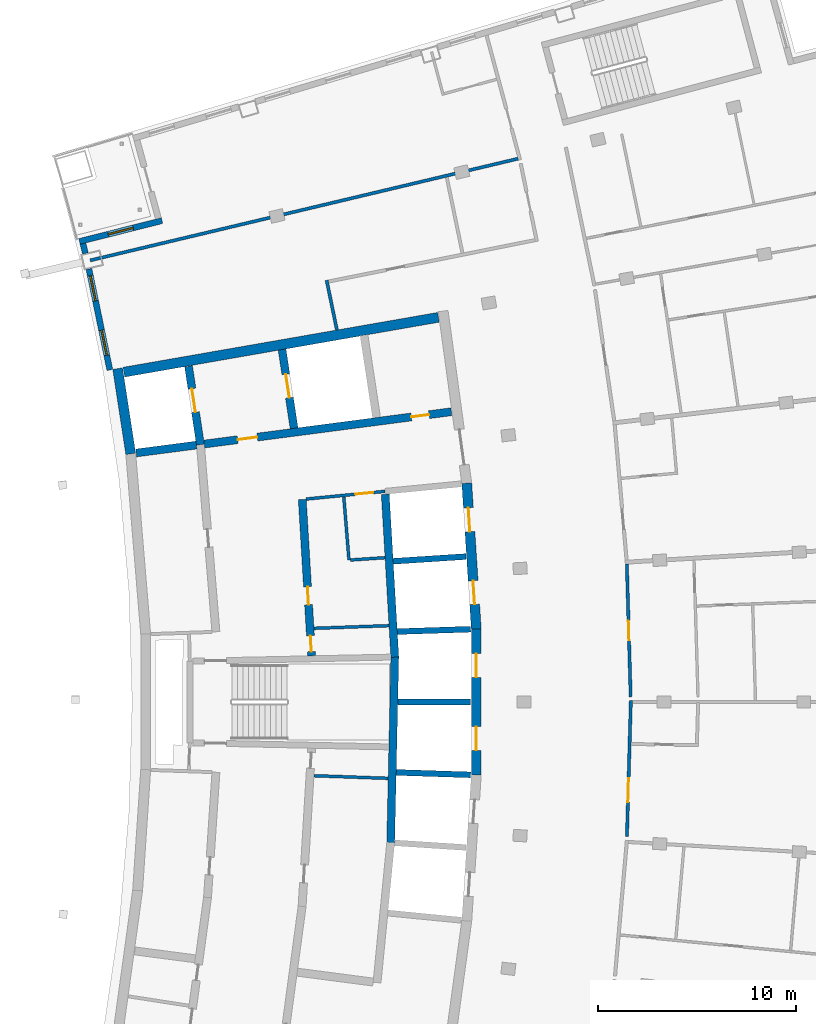
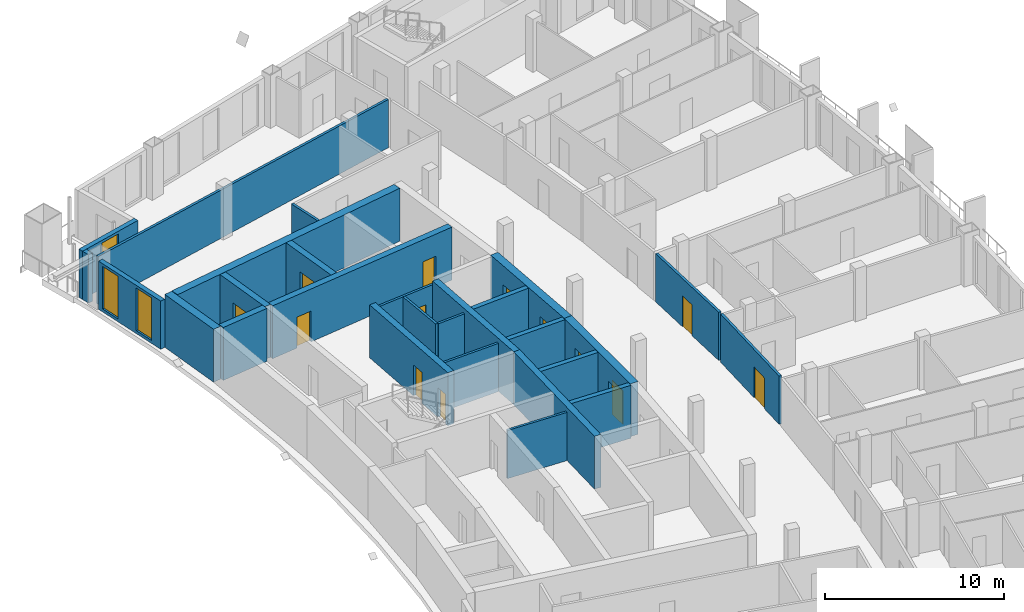
# One storey, part 10 of 15: 27 walls, 13 doors, 3 windows, 16 openings.
"""IFC4 building model written with IfcOpenShell, lengths in metres."""

import ifcopenshell
import ifcopenshell.guid

model = None  # the IFC model being written
_history = None  # IfcOwnerHistory: only IFC2X3 demands one
_inside = {}  # id of a spatial element -> (the spatial element, [elements in it])
_under = {}  # id of a project, library or spatial element -> (it, [spatial elements below it])
_declared = {}  # id of a project -> (the project, [libraries it declares])
_typed = {}  # id of a type object -> (the type object, [elements of that type])
_made_of = {}  # id of a material, layer set ... -> (it, [elements and type objects made of it])


def new_model(schema):
    """Start an empty IFC model of exactly this schema.

    Asked for "IFC4X3", IfcOpenShell would pick the latest addendum, in which some entities
    have other attributes; the version numbers below select the first issue.
    IFC2X3 requires an IfcOwnerHistory on every rooted entity: one is made here for all.
    """
    global model, _history
    if schema == "IFC4X3":
        model = ifcopenshell.file(schema_version=(4, 3, 0, 0))
    else:
        model = ifcopenshell.file(schema=schema)
    _inside.clear()
    _under.clear()
    _declared.clear()
    _typed.clear()
    _made_of.clear()
    _history = None
    if model.schema == "IFC2X3":
        org = make("IfcOrganization", Name="unknown")
        user = make(
            "IfcPersonAndOrganization",
            ThePerson=make("IfcPerson", FamilyName="unknown"),
            TheOrganization=org,
        )
        app = make(
            "IfcApplication",
            ApplicationDeveloper=org,
            Version="unknown",
            ApplicationFullName="unknown",
            ApplicationIdentifier="unknown",
        )
        _history = make(
            "IfcOwnerHistory",
            OwningUser=user,
            OwningApplication=app,
            ChangeAction="ADDED",
            CreationDate=0,
        )
    return model


def make(cls, **values):
    """One entity of the class cls with the attributes given. An attribute that is None is left unset."""
    return model.create_entity(
        cls, **{name: value for name, value in values.items() if value is not None}
    )


def rooted(cls, **values):
    """An entity with a GlobalId (a new one), such as an element, a storey or a relation."""
    return make(cls, GlobalId=ifcopenshell.guid.new(), OwnerHistory=_history, **values)


def si_unit(unit_type, name, prefix=None):
    """IfcSIUnit, for example si_unit("LENGTHUNIT", "METRE", prefix="MILLI")."""
    return make("IfcSIUnit", UnitType=unit_type, Prefix=prefix, Name=name)


def assignment(units):
    """IfcUnitAssignment: the units of a project."""
    return None if units is None else make("IfcUnitAssignment", Units=units)


def point(xyz):
    """IfcCartesianPoint."""
    return None if xyz is None else make("IfcCartesianPoint", Coordinates=xyz)


def direction(xyz):
    """IfcDirection."""
    return None if xyz is None else make("IfcDirection", DirectionRatios=xyz)


def frame(location, z_axis=None, x_axis=None):
    """IfcAxis2Placement3D, a coordinate frame: its origin and axes. An axis left out is left unset."""
    return make(
        "IfcAxis2Placement3D",
        Location=point(location),
        Axis=direction(z_axis),
        RefDirection=direction(x_axis),
    )


def frame_2d(location, x_axis=None):
    """IfcAxis2Placement2D, a coordinate frame in the plane: its origin and x axis."""
    return make(
        "IfcAxis2Placement2D", Location=point(location), RefDirection=direction(x_axis)
    )


def origin():
    """The frame at (0, 0, 0) with its axes left unset."""
    return frame((0.0, 0.0, 0.0))


def place(relative_to, where):
    """IfcLocalPlacement: puts the frame where relative to a parent placement (None: the world)."""
    return make(
        "IfcLocalPlacement", PlacementRelTo=relative_to, RelativePlacement=where
    )


def context(
    kind, dimensions, precision=None, world=None, true_north=None, identifier=None
):
    """IfcGeometricRepresentationContext, for example the 3D "Model" context."""
    return make(
        "IfcGeometricRepresentationContext",
        ContextIdentifier=identifier,
        ContextType=kind,
        CoordinateSpaceDimension=dimensions,
        Precision=precision,
        WorldCoordinateSystem=world,
        TrueNorth=true_north,
    )


def subcontext(parent, identifier, kind, view, scale=None):
    """IfcGeometricRepresentationSubContext, for example "Body" below "Model"."""
    return make(
        "IfcGeometricRepresentationSubContext",
        ContextIdentifier=identifier,
        ContextType=kind,
        ParentContext=parent,
        TargetScale=scale,
        TargetView=view,
    )


def project(units=None, contexts=None):
    """IfcProject with its units and contexts."""
    return rooted(
        "IfcProject",
        Name="project",
        RepresentationContexts=contexts,
        UnitsInContext=assignment(units),
    )


def spatial(cls, under=None, at=None, **own):
    """A site, building, storey or space (cls), placed at a placement, below another one or the project."""
    s = rooted(cls, ObjectPlacement=at, **own)
    if under is not None:
        _under.setdefault(under.id(), (under, []))[1].append(s)
    return s


def profile(cls, at=None, kind="AREA", **sizes):
    """A parametric profile (cls). Its sizes go by their IFC names, for example OverallWidth=200.0."""
    return make(cls, ProfileType=kind, Position=at, **sizes)


def rectangle(**sizes):
    """IfcRectangleProfileDef."""
    return profile("IfcRectangleProfileDef", **sizes)


def extrude(swept, where, along, depth):
    """IfcExtrudedAreaSolid: the profile swept, set in the frame where, extruded along a direction by depth."""
    return make(
        "IfcExtrudedAreaSolid",
        SweptArea=swept,
        Position=where,
        ExtrudedDirection=direction(along),
        Depth=depth,
    )


def shape(context_of_items, identifier, shape_type, items):
    """IfcShapeRepresentation: the items that make up one representation, for example the "Body"."""
    return make(
        "IfcShapeRepresentation",
        ContextOfItems=context_of_items,
        RepresentationIdentifier=identifier,
        RepresentationType=shape_type,
        Items=items,
    )


def material(Name=None, Category=None):
    """IfcMaterial."""
    return make("IfcMaterial", Name=Name, Category=Category)


def layer(
    of_material, thickness, ventilated=None, Name=None, Category=None, Priority=None
):
    """IfcMaterialLayer: one layer of a wall or slab, of a material (None: an air gap)."""
    return make(
        "IfcMaterialLayer",
        Material=of_material,
        LayerThickness=thickness,
        IsVentilated=ventilated,
        Name=Name,
        Category=Category,
        Priority=Priority,
    )


def layer_set(layers, Name=None):
    """IfcMaterialLayerSet."""
    return make("IfcMaterialLayerSet", MaterialLayers=layers, LayerSetName=Name)


def made_of(thing, what):
    """Note that an element or type object is made of a material, layer set ...; save() writes the relation."""
    if what is not None:
        _made_of.setdefault(what.id(), (what, []))[1].append(thing)
    return thing


def type_object(cls, material=None, **own):
    """A type object (cls), such as IfcWallType, which elements share."""
    return made_of(rooted(cls, **own), material)


def element(
    cls,
    number,
    at=None,
    inside=None,
    cuts=None,
    type_object=None,
    material=None,
    context=None,
    identifier="Body",
    shape_type=None,
    held_by="IfcProductDefinitionShape",
    body=None,
    shapes=None,
    **own,
):
    """One element of the class cls, such as IfcWall. Its Tag is "e" and its number.

    at: its placement. inside: the storey or other place that contains it. cuts: it is an
    opening in that element (IfcRelVoidsElement). A single representation is given by context,
    identifier, shape_type and body (its items); several are given by shapes. held_by: the class
    of the entity that holds the representations. save() writes the other relations.
    """
    e = rooted(cls, Tag="e%d" % number, ObjectPlacement=at, **own)
    if body is not None:
        shapes = [shape(context, identifier, shape_type, body)]
    if shapes is not None:
        e.Representation = make(held_by, Representations=shapes)
    if inside is not None:
        _inside.setdefault(inside.id(), (inside, []))[1].append(e)
    if cuts is not None:
        rooted(
            "IfcRelVoidsElement", RelatingBuildingElement=cuts, RelatedOpeningElement=e
        )
    if type_object is not None:
        _typed.setdefault(type_object.id(), (type_object, []))[1].append(e)
    return made_of(e, material)


def fill(opening, filler):
    """IfcRelFillsElement: the door or window that sits in an opening."""
    return rooted(
        "IfcRelFillsElement",
        RelatingOpeningElement=opening,
        RelatedBuildingElement=filler,
    )


def aggregate(whole, parts):
    """IfcRelAggregates: a whole, such as a stair, and the parts it consists of."""
    return rooted("IfcRelAggregates", RelatingObject=whole, RelatedObjects=parts)


def save(model, path):
    """Write the relations noted so far, then the file.

    IfcRelAggregates (storeys below a building ...), IfcRelContainedInSpatialStructure (elements
    in a storey), IfcRelDefinesByType, IfcRelAssociatesMaterial and IfcRelDeclares: one each for
    every whole, place, type object, material and project.
    """
    for whole, parts in _under.values():
        aggregate(whole, parts)
    for where, things in _inside.values():
        rooted(
            "IfcRelContainedInSpatialStructure",
            RelatedElements=things,
            RelatingStructure=where,
        )
    for kind, things in _typed.values():
        rooted("IfcRelDefinesByType", RelatedObjects=things, RelatingType=kind)
    for what, things in _made_of.values():
        rooted("IfcRelAssociatesMaterial", RelatedObjects=things, RelatingMaterial=what)
    for by, libraries in _declared.values():
        rooted("IfcRelDeclares", RelatingContext=by, RelatedDefinitions=libraries)
    model.write(path)


model = new_model("IFC4")

# Units and contexts
model_context = context("Model", 3, precision=1e-05, world=origin(), true_north=direction((0.0, 1.0)))
body_context = subcontext(model_context, "Body", "Model", "MODEL_VIEW")
ifc_project = project(units=[si_unit("LENGTHUNIT", "METRE"), si_unit("AREAUNIT", "SQUARE_METRE"), si_unit("VOLUMEUNIT", "CUBIC_METRE"), si_unit("PLANEANGLEUNIT", "RADIAN"), si_unit("MASSUNIT", "GRAM", prefix="KILO")], contexts=[model_context])

# Site, building, storey
site_placement = place(None, origin())
site = spatial("IfcSite", under=ifc_project, at=site_placement, CompositionType="ELEMENT")
building_placement = place(site_placement, origin())
building = spatial("IfcBuilding", under=site, at=building_placement, Name="Alderwake Tower", CompositionType="ELEMENT")
storey_placement = place(building_placement, frame((0.0, 0.0, 252.800048828125)))
storey = spatial("IfcBuildingStorey", under=building, at=storey_placement, Name="L62", CompositionType="ELEMENT", Elevation=252.800048828125)

# Walls
ifc_material_1 = material(Name="Gypsum shaft wall system, rated")
ifc_layer_1 = layer(ifc_material_1, 0.14990234375)
ifc_layer_set_1 = layer_set([ifc_layer_1], Name="Core riser partition 150")
wall_type_1 = type_object("IfcWallType", Name="Core riser partition 150", PredefinedType="PARTITIONING", material=ifc_layer_set_1)
wall_1_placement = place(storey_placement, frame((25.1904296875, 57.276611328125, 0.0), z_axis=(0.0, 0.0, 1.0), x_axis=(0.99937350076, -0.035392173974, 0.0)))
element("IfcWall", 1, at=wall_1_placement, inside=storey, type_object=wall_type_1, Name="CW/L62/PR-37_+86", PredefinedType="PARTITIONING", context=body_context, shape_type="SweptSolid", body=[
    extrude(rectangle(XDim=3.752685546875, YDim=0.14990234375, at=frame_2d((1.87646484375, 0.0))), origin(), (0.0, 0.0, 1.0), 3.280029296875),
])
wall_2_placement = place(storey_placement, frame((25.191162109375, 64.723388671875, 0.0), z_axis=(0.0, 0.0, 1.0), x_axis=(0.999373627871, 0.035388584556, 0.0)))
element("IfcWall", 2, at=wall_2_placement, inside=storey, type_object=wall_type_1, Name="CW/L62/PR+37_+86", PredefinedType="PARTITIONING", context=body_context, shape_type="SweptSolid", body=[
    extrude(rectangle(XDim=3.79443359375, YDim=0.14990234375, at=frame_2d((1.897216796875, 0.0))), origin(), (0.0, 0.0, 1.0), 3.280029296875),
])
ifc_material_2 = material(Name="Gypsum shaft wall system, rated")
ifc_layer_2 = layer(ifc_material_2, 0.14990234375)
ifc_layer_set_2 = layer_set([ifc_layer_2], Name="Core room partition 150")
wall_type_2 = type_object("IfcWallType", Name="Core room partition 150", PredefinedType="PARTITIONING", material=ifc_layer_set_2)
wall_3_placement = place(storey_placement, frame((26.9599609375, 68.170654296875, 0.0), z_axis=(0.0, 0.0, 1.0), x_axis=(-0.081803626558, 0.996648466954, 0.0)))
element("IfcWall", 3, at=wall_3_placement, inside=storey, type_object=wall_type_2, Name="CW/L62/PA+107_+70", PredefinedType="PARTITIONING", context=body_context, shape_type="SweptSolid", body=[
    extrude(rectangle(XDim=3.205322265625, YDim=0.14990234375, at=frame_2d((1.6025390625, 0.0))), origin(), (0.0, 0.0, 1.0), 3.280029296875),
])
wall_4_placement = place(storey_placement, frame((27.034912109375, 68.175537109375, 0.0), z_axis=(0.0, 0.0, 1.0), x_axis=(0.997757929195, 0.066926188655, 0.0)))
element("IfcWall", 4, at=wall_4_placement, inside=storey, type_object=wall_type_2, Name="CW/L62/PR+70_+107", PredefinedType="PARTITIONING", context=body_context, shape_type="SweptSolid", body=[
    extrude(rectangle(XDim=1.7509765625, YDim=0.14990234375, at=frame_2d((0.87548828125, 0.0))), origin(), (0.0, 0.0, 1.0), 3.280029296875),
])

# Wall, opening, door
wall_5_placement = place(storey_placement, frame((28.780517578125, 71.644287109375, 0.0), z_axis=(0.0, 0.0, 1.0), x_axis=(-0.995250000627, -0.097352125046, 0.0)))
wall_5 = element("IfcWall", 5, at=wall_5_placement, inside=storey, type_object=wall_type_2, Name="CW/L62/PR+102_+86", PredefinedType="PARTITIONING", context=body_context, shape_type="SweptSolid", body=[
    extrude(rectangle(XDim=4.0, YDim=0.14990234375, at=frame_2d((2.0, 0.0))), origin(), (0.0, 0.0, 1.0), 3.280029296875),
])
opening_1_placement = place(wall_5_placement, frame((0.60009765625, 0.0, 0.0)))
opening_1 = element("IfcOpeningElement", 6, at=opening_1_placement, cuts=wall_5, Name="Opening C022", PredefinedType="OPENING", context=body_context, shape_type="SweptSolid", body=[
    extrude(rectangle(XDim=0.89990234375, YDim=2.10009765625, at=frame_2d((0.449951171875, 1.050048828125))), frame((0.0, 0.0849609375, 0.0), z_axis=(0.0, -1.0, 0.0), x_axis=(1.0, 0.0, 0.0)), (0.0, 0.0, 1.0), 0.169921875),
])
ifc_material_3 = material(Name="Painted steel leaf", Category="steel")
door_type_1 = type_object("IfcDoorType", Name="Core room door 900", OperationType="SINGLE_SWING_LEFT", PredefinedType="DOOR", material=ifc_material_3)
door_1_placement = place(opening_1_placement, origin())
door_1 = element("IfcDoor", 7, at=door_1_placement, inside=storey, type_object=door_type_1, Name="Room door", OperationType="SINGLE_SWING_LEFT", OverallHeight=2.10009765625, OverallWidth=0.89990234375, PredefinedType="DOOR", context=body_context, shape_type="SweptSolid", body=[
    extrude(rectangle(XDim=0.89990234375, YDim=2.10009765625, at=frame_2d((0.449951171875, 1.050048828125))), frame((0.0, 0.02490234375, 0.0), z_axis=(0.0, -1.0, 0.0), x_axis=(1.0, 0.0, 0.0)), (0.0, 0.0, 1.0), 0.050048828125),
])
fill(opening_1, door_1)

# Wall
ifc_material_4 = material(Name="Concrete C70/85", Category="concrete")
ifc_layer_3 = layer(ifc_material_4, 0.5)
ifc_layer_set_3 = layer_set([ifc_layer_3], Name="Core wall outer 500 C70-85")
wall_type_3 = type_object("IfcWallType", Name="Core wall outer 500 C70-85", PredefinedType="SHEAR", material=ifc_layer_set_3)
wall_6_placement = place(storey_placement, frame((15.934326171875, 73.5380859375, 0.0), z_axis=(0.0, 0.0, 1.0), x_axis=(-0.151947718368, 0.988388532351, 0.0)))
element("IfcWall", 8, at=wall_6_placement, inside=storey, type_object=wall_type_3, Name="Core wall CW.025", PredefinedType="SHEAR", context=body_context, shape_type="SweptSolid", body=[
    extrude(rectangle(XDim=4.357421875, YDim=0.5, at=frame_2d((2.1787109375, 0.0))), origin(), (0.0, 0.0, 1.0), 3.599853515625),
])

# Wall, openings, doors
wall_7_placement = place(storey_placement, frame((33.389892578125, 57.30322265625, 0.0), z_axis=(0.0, 0.0, 1.0), x_axis=(0.0, 1.0, 0.0)))
wall_7 = element("IfcWall", 9, at=wall_7_placement, inside=storey, type_object=wall_type_3, Name="Core wall CW.023", PredefinedType="SHEAR", context=body_context, shape_type="SweptSolid", body=[
    extrude(rectangle(XDim=7.3935546875, YDim=0.5, at=frame_2d((3.69677734375, 0.0))), origin(), (0.0, 0.0, 1.0), 3.599853515625),
])
opening_2_placement = place(wall_7_placement, frame((1.25244140625, 0.0, 0.0)))
opening_2 = element("IfcOpeningElement", 10, at=opening_2_placement, cuts=wall_7, Name="Opening LD-HP3", PredefinedType="OPENING", context=body_context, shape_type="SweptSolid", body=[
    extrude(rectangle(XDim=1.199951171875, YDim=2.300048828125, at=frame_2d((0.60009765625, 1.14990234375))), frame((0.0, 0.260009765625, 0.0), z_axis=(0.0, -1.0, 0.0), x_axis=(1.0, 0.0, 0.0)), (0.0, 0.0, 1.0), 0.52001953125),
])
opening_3_placement = place(wall_7_placement, frame((4.94091796875, 0.0, 0.0)))
opening_3 = element("IfcOpeningElement", 11, at=opening_3_placement, cuts=wall_7, Name="Opening LD-HP4", PredefinedType="OPENING", context=body_context, shape_type="SweptSolid", body=[
    extrude(rectangle(XDim=1.199951171875, YDim=2.300048828125, at=frame_2d((0.60009765625, 1.14990234375))), frame((0.0, 0.260009765625, 0.0), z_axis=(0.0, -1.0, 0.0), x_axis=(1.0, 0.0, 0.0)), (0.0, 0.0, 1.0), 0.52001953125),
])
ifc_material_5 = material(Name="Stainless steel sliding leaf", Category="steel")
door_type_2 = type_object("IfcDoorType", Name="Lift landing door 1200", OperationType="SLIDING_TO_LEFT", PredefinedType="DOOR", material=ifc_material_5)
door_2_placement = place(opening_2_placement, origin())
door_2 = element("IfcDoor", 12, at=door_2_placement, inside=storey, type_object=door_type_2, Name="Lift landing door HP3", OperationType="SLIDING_TO_LEFT", OverallHeight=2.300048828125, OverallWidth=1.199951171875, PredefinedType="DOOR", context=body_context, shape_type="SweptSolid", body=[
    extrude(rectangle(XDim=1.199951171875, YDim=2.300048828125, at=frame_2d((0.60009765625, 1.14990234375))), frame((0.0, 0.02490234375, 0.0), z_axis=(0.0, -1.0, 0.0), x_axis=(1.0, 0.0, 0.0)), (0.0, 0.0, 1.0), 0.050048828125),
])
fill(opening_2, door_2)
door_3_placement = place(opening_3_placement, origin())
door_3 = element("IfcDoor", 13, at=door_3_placement, inside=storey, type_object=door_type_2, Name="Lift landing door HP4", OperationType="SLIDING_TO_LEFT", OverallHeight=2.300048828125, OverallWidth=1.199951171875, PredefinedType="DOOR", context=body_context, shape_type="SweptSolid", body=[
    extrude(rectangle(XDim=1.199951171875, YDim=2.300048828125, at=frame_2d((0.60009765625, 1.14990234375))), frame((0.0, 0.02490234375, 0.0), z_axis=(0.0, -1.0, 0.0), x_axis=(1.0, 0.0, 0.0)), (0.0, 0.0, 1.0), 0.050048828125),
])
fill(opening_3, door_3)

wall_8_placement = place(storey_placement, frame((33.390625, 64.679443359375, 0.0), z_axis=(0.0, 0.0, 1.0), x_axis=(-0.064980500916, 0.997886533881, 0.0)))
wall_8 = element("IfcWall", 14, at=wall_8_placement, inside=storey, type_object=wall_type_3, Name="Core wall CW.020", PredefinedType="SHEAR", context=body_context, shape_type="SweptSolid", body=[
    extrude(rectangle(XDim=7.39404296875, YDim=0.5, at=frame_2d((3.697021484375, 0.0))), origin(), (0.0, 0.0, 1.0), 3.599853515625),
])
opening_4_placement = place(wall_8_placement, frame((1.25244140625, 0.0, 0.0)))
opening_4 = element("IfcOpeningElement", 15, at=opening_4_placement, cuts=wall_8, Name="Opening LD-HP5", PredefinedType="OPENING", context=body_context, shape_type="SweptSolid", body=[
    extrude(rectangle(XDim=1.199951171875, YDim=2.300048828125, at=frame_2d((0.60009765625, 1.14990234375))), frame((0.0, 0.260009765625, 0.0), z_axis=(0.0, -1.0, 0.0), x_axis=(1.0, 0.0, 0.0)), (0.0, 0.0, 1.0), 0.52001953125),
])
opening_5_placement = place(wall_8_placement, frame((4.94091796875, 0.0, 0.0)))
opening_5 = element("IfcOpeningElement", 16, at=opening_5_placement, cuts=wall_8, Name="Opening LD-HP6", PredefinedType="OPENING", context=body_context, shape_type="SweptSolid", body=[
    extrude(rectangle(XDim=1.199951171875, YDim=2.300048828125, at=frame_2d((0.60009765625, 1.14990234375))), frame((0.0, 0.260009765625, 0.0), z_axis=(0.0, -1.0, 0.0), x_axis=(1.0, 0.0, 0.0)), (0.0, 0.0, 1.0), 0.52001953125),
])
door_4_placement = place(opening_4_placement, origin())
door_4 = element("IfcDoor", 17, at=door_4_placement, inside=storey, type_object=door_type_2, Name="Lift landing door HP5", OperationType="SLIDING_TO_LEFT", OverallHeight=2.300048828125, OverallWidth=1.199951171875, PredefinedType="DOOR", context=body_context, shape_type="SweptSolid", body=[
    extrude(rectangle(XDim=1.199951171875, YDim=2.300048828125, at=frame_2d((0.60009765625, 1.14990234375))), frame((0.0, 0.02490234375, 0.0), z_axis=(0.0, -1.0, 0.0), x_axis=(1.0, 0.0, 0.0)), (0.0, 0.0, 1.0), 0.050048828125),
])
fill(opening_4, door_4)
door_5_placement = place(opening_5_placement, origin())
door_5 = element("IfcDoor", 18, at=door_5_placement, inside=storey, type_object=door_type_2, Name="Lift landing door HP6", OperationType="SLIDING_TO_LEFT", OverallHeight=2.300048828125, OverallWidth=1.199951171875, PredefinedType="DOOR", context=body_context, shape_type="SweptSolid", body=[
    extrude(rectangle(XDim=1.199951171875, YDim=2.300048828125, at=frame_2d((0.60009765625, 1.14990234375))), frame((0.0, 0.02490234375, 0.0), z_axis=(0.0, -1.0, 0.0), x_axis=(1.0, 0.0, 0.0)), (0.0, 0.0, 1.0), 0.050048828125),
])
fill(opening_5, door_5)

# Walls
wall_9_placement = place(storey_placement, frame((15.583251953125, 77.664306640625, 0.0), z_axis=(0.0, 0.0, 1.0), x_axis=(0.985139146221, 0.171758151429, 0.0)))
element("IfcWall", 19, at=wall_9_placement, inside=storey, type_object=wall_type_3, Name="Core wall CW.055", PredefinedType="SHEAR", context=body_context, shape_type="SweptSolid", body=[
    extrude(rectangle(XDim=16.134521484375, YDim=0.5, at=frame_2d((8.0673828125, 0.0))), origin(), (0.0, 0.0, 1.0), 3.599853515625),
])
ifc_material_6 = material(Name="Concrete C70/85", Category="concrete")
ifc_layer_4 = layer(ifc_material_6, 0.300048828125)
ifc_layer_set_4 = layer_set([ifc_layer_4], Name="Core wall shaft 300 C70-85")
wall_type_4 = type_object("IfcWallType", Name="Core wall shaft 300 C70-85", PredefinedType="SHEAR", material=ifc_layer_set_4)
wall_10_placement = place(storey_placement, frame((29.347412109375, 57.443603515625, 0.0), z_axis=(0.0, 0.0, 1.0), x_axis=(0.99946995342, -0.032554757112, 0.0)))
element("IfcWall", 20, at=wall_10_placement, inside=storey, type_object=wall_type_4, Name="Core wall CW.075", PredefinedType="SHEAR", context=body_context, shape_type="SweptSolid", body=[
    extrude(rectangle(XDim=3.7646484375, YDim=0.300048828125, at=frame_2d((1.88232421875, 0.0))), origin(), (0.0, 0.0, 1.0), 3.599853515625),
])
wall_11_placement = place(storey_placement, frame((29.426025390625, 61.0, 0.0), z_axis=(0.0, 0.0, 1.0), x_axis=(1.0, 0.0, 0.0)))
element("IfcWall", 21, at=wall_11_placement, inside=storey, type_object=wall_type_4, Name="Core wall CW.048", PredefinedType="SHEAR", context=body_context, shape_type="SweptSolid", body=[
    extrude(rectangle(XDim=3.68408203125, YDim=0.300048828125, at=frame_2d((1.842041015625, 0.0))), origin(), (0.0, 0.0, 1.0), 3.599853515625),
])
wall_12_placement = place(storey_placement, frame((29.401611328125, 64.558349609375, 0.0), z_axis=(0.0, 0.0, 1.0), x_axis=(0.99947159852, 0.032504211301, 0.0)))
element("IfcWall", 22, at=wall_12_placement, inside=storey, type_object=wall_type_4, Name="Core wall CW.058", PredefinedType="SHEAR", context=body_context, shape_type="SweptSolid", body=[
    extrude(rectangle(XDim=3.71044921875, YDim=0.300048828125, at=frame_2d((1.855224609375, 0.0))), origin(), (0.0, 0.0, 1.0), 3.599853515625),
])
wall_13_placement = place(storey_placement, frame((29.193603515625, 68.110595703125, 0.0), z_axis=(0.0, 0.0, 1.0), x_axis=(0.997885994006, 0.064988791085, 0.0)))
element("IfcWall", 23, at=wall_13_placement, inside=storey, type_object=wall_type_4, Name="Core wall CW.061", PredefinedType="SHEAR", context=body_context, shape_type="SweptSolid", body=[
    extrude(rectangle(XDim=3.685302734375, YDim=0.300048828125, at=frame_2d((1.8427734375, 0.0))), origin(), (0.0, 0.0, 1.0), 3.599853515625),
])

# Wall, opening, door
ifc_material_7 = material(Name="Concrete C70/85", Category="concrete")
ifc_layer_5 = layer(ifc_material_7, 0.39990234375)
ifc_layer_set_5 = layer_set([ifc_layer_5], Name="Core wall spine 400 C70-85")
wall_type_5 = type_object("IfcWallType", Name="Core wall spine 400 C70-85", PredefinedType="SHEAR", material=ifc_layer_set_5)
wall_14_placement = place(storey_placement, frame((19.4541015625, 74.00048828125, 0.0), z_axis=(0.0, 0.0, 1.0), x_axis=(-0.149461330246, 0.988767571657, 0.0)))
wall_14 = element("IfcWall", 24, at=wall_14_placement, inside=storey, type_object=wall_type_5, Name="Core wall CW.030", PredefinedType="SHEAR", context=body_context, shape_type="SweptSolid", body=[
    extrude(rectangle(XDim=4.01513671875, YDim=0.39990234375, at=frame_2d((2.007568359375, 0.0))), origin(), (0.0, 0.0, 1.0), 3.599853515625),
])
opening_6_placement = place(wall_14_placement, frame((1.6611328125, 0.0, 0.0)))
opening_6 = element("IfcOpeningElement", 25, at=opening_6_placement, cuts=wall_14, Name="Opening LD-FF1", PredefinedType="OPENING", context=body_context, shape_type="SweptSolid", body=[
    extrude(rectangle(XDim=1.199951171875, YDim=2.300048828125, at=frame_2d((0.60009765625, 1.14990234375))), frame((0.0, 0.2099609375, 0.0), z_axis=(0.0, -1.0, 0.0), x_axis=(1.0, 0.0, 0.0)), (0.0, 0.0, 1.0), 0.419921875),
])
door_6_placement = place(opening_6_placement, origin())
door_6 = element("IfcDoor", 26, at=door_6_placement, inside=storey, type_object=door_type_2, Name="Lift landing door FF1", OperationType="SLIDING_TO_LEFT", OverallHeight=2.300048828125, OverallWidth=1.199951171875, PredefinedType="DOOR", context=body_context, shape_type="SweptSolid", body=[
    extrude(rectangle(XDim=1.199951171875, YDim=2.300048828125, at=frame_2d((0.60009765625, 1.14990234375))), frame((0.0, 0.02490234375, 0.0), z_axis=(0.0, -1.0, 0.0), x_axis=(1.0, 0.0, 0.0)), (0.0, 0.0, 1.0), 0.050048828125),
])
fill(opening_6, door_6)

# Wall, openings, doors
wall_15_placement = place(storey_placement, frame((25.073974609375, 63.335693359375, 0.0), z_axis=(0.0, 0.0, 1.0), x_axis=(-0.059848641072, 0.998207463487, 0.0)))
wall_15 = element("IfcWall", 27, at=wall_15_placement, inside=storey, type_object=wall_type_5, Name="Core wall CW.045", PredefinedType="SHEAR", context=body_context, shape_type="SweptSolid", body=[
    extrude(rectangle(XDim=7.913818359375, YDim=0.39990234375, at=frame_2d((3.95703125, 0.0))), origin(), (0.0, 0.0, 1.0), 3.599853515625),
])
opening_7_placement = place(wall_15_placement, frame((0.216064453125, 0.0, 0.0)))
opening_7 = element("IfcOpeningElement", 28, at=opening_7_placement, cuts=wall_15, Name="Opening C005", PredefinedType="OPENING", context=body_context, shape_type="SweptSolid", body=[
    extrude(rectangle(XDim=0.800048828125, YDim=2.0, at=frame_2d((0.39990234375, 1.0))), frame((0.0, 0.2099609375, 0.0), z_axis=(0.0, -1.0, 0.0), x_axis=(1.0, 0.0, 0.0)), (0.0, 0.0, 1.0), 0.419921875),
])
opening_8_placement = place(wall_15_placement, frame((2.590087890625, 0.0, 0.0)))
opening_8 = element("IfcOpeningElement", 29, at=opening_8_placement, cuts=wall_15, Name="Opening C058", PredefinedType="OPENING", context=body_context, shape_type="SweptSolid", body=[
    extrude(rectangle(XDim=0.89990234375, YDim=2.10009765625, at=frame_2d((0.449951171875, 1.050048828125))), frame((0.0, 0.2099609375, 0.0), z_axis=(0.0, -1.0, 0.0), x_axis=(1.0, 0.0, 0.0)), (0.0, 0.0, 1.0), 0.419921875),
])
door_7_placement = place(opening_8_placement, origin())
door_7 = element("IfcDoor", 30, at=door_7_placement, inside=storey, type_object=door_type_1, Name="Room door", OperationType="SINGLE_SWING_LEFT", OverallHeight=2.10009765625, OverallWidth=0.89990234375, PredefinedType="DOOR", context=body_context, shape_type="SweptSolid", body=[
    extrude(rectangle(XDim=0.89990234375, YDim=2.10009765625, at=frame_2d((0.449951171875, 1.050048828125))), frame((0.0, 0.02490234375, 0.0), z_axis=(0.0, -1.0, 0.0), x_axis=(1.0, 0.0, 0.0)), (0.0, 0.0, 1.0), 0.050048828125),
])
fill(opening_8, door_7)
ifc_material_8 = material(Name="Painted steel leaf, rated", Category="steel")
door_type_3 = type_object("IfcDoorType", Name="Riser access door 800", OperationType="SINGLE_SWING_LEFT", PredefinedType="DOOR", material=ifc_material_8)
door_8_placement = place(opening_7_placement, origin())
door_8 = element("IfcDoor", 31, at=door_8_placement, inside=storey, type_object=door_type_3, Name="Riser access door", OperationType="SINGLE_SWING_LEFT", OverallHeight=2.0, OverallWidth=0.800048828125, PredefinedType="DOOR", context=body_context, shape_type="SweptSolid", body=[
    extrude(rectangle(XDim=0.800048828125, YDim=2.0, at=frame_2d((0.39990234375, 1.0))), frame((0.0, 0.02490234375, 0.0), z_axis=(0.0, -1.0, 0.0), x_axis=(1.0, 0.0, 0.0)), (0.0, 0.0, 1.0), 0.050048828125),
])
fill(opening_7, door_8)

# Wall, opening, door
wall_16_placement = place(storey_placement, frame((24.186279296875, 74.82861328125, 0.0), z_axis=(0.0, 0.0, 1.0), x_axis=(-0.150547717109, 0.988602743711, 0.0)))
wall_16 = element("IfcWall", 32, at=wall_16_placement, inside=storey, type_object=wall_type_5, Name="Core wall CW.044", PredefinedType="SHEAR", context=body_context, shape_type="SweptSolid", body=[
    extrude(rectangle(XDim=4.0234375, YDim=0.39990234375, at=frame_2d((2.01171875, 0.0))), origin(), (0.0, 0.0, 1.0), 3.599853515625),
])
opening_9_placement = place(wall_16_placement, frame((1.561767578125, 0.0, 0.0)))
opening_9 = element("IfcOpeningElement", 33, at=opening_9_placement, cuts=wall_16, Name="Opening LD-FF2", PredefinedType="OPENING", context=body_context, shape_type="SweptSolid", body=[
    extrude(rectangle(XDim=1.199951171875, YDim=2.300048828125, at=frame_2d((0.60009765625, 1.14990234375))), frame((0.0, 0.2099609375, 0.0), z_axis=(0.0, -1.0, 0.0), x_axis=(1.0, 0.0, 0.0)), (0.0, 0.0, 1.0), 0.419921875),
])
door_9_placement = place(opening_9_placement, origin())
door_9 = element("IfcDoor", 34, at=door_9_placement, inside=storey, type_object=door_type_2, Name="Lift landing door FF2", OperationType="SLIDING_TO_LEFT", OverallHeight=2.300048828125, OverallWidth=1.199951171875, PredefinedType="DOOR", context=body_context, shape_type="SweptSolid", body=[
    extrude(rectangle(XDim=1.199951171875, YDim=2.300048828125, at=frame_2d((0.60009765625, 1.14990234375))), frame((0.0, 0.02490234375, 0.0), z_axis=(0.0, -1.0, 0.0), x_axis=(1.0, 0.0, 0.0)), (0.0, 0.0, 1.0), 0.050048828125),
])
fill(opening_9, door_9)

# Walls
wall_17_placement = place(storey_placement, frame((29.06884765625, 53.889404296875, 0.0), z_axis=(0.0, 0.0, 1.0), x_axis=(0.022115148322, 0.9997554302, 0.0)))
element("IfcWall", 35, at=wall_17_placement, inside=storey, type_object=wall_type_5, Name="Core wall CW.008", PredefinedType="SHEAR", context=body_context, shape_type="SweptSolid", body=[
    extrude(rectangle(XDim=9.39453125, YDim=0.39990234375, at=frame_2d((4.697265625, 0.0))), origin(), (0.0, 0.0, 1.0), 3.599853515625),
])
wall_18_placement = place(storey_placement, frame((29.27685546875, 63.2646484375, 0.0), z_axis=(0.0, 0.0, 1.0), x_axis=(-0.0584546922, 0.998290062537, 0.0)))
element("IfcWall", 36, at=wall_18_placement, inside=storey, type_object=wall_type_5, Name="Core wall CW.002", PredefinedType="SHEAR", context=body_context, shape_type="SweptSolid", body=[
    extrude(rectangle(XDim=8.24462890625, YDim=0.39990234375, at=frame_2d((4.122314453125, 0.0))), origin(), (0.0, 0.0, 1.0), 3.599853515625),
])
wall_19_placement = place(storey_placement, frame((16.210693359375, 73.583740234375, 0.0), z_axis=(0.0, 0.0, 1.0), x_axis=(0.991560893257, 0.129641794819, 0.0)))
element("IfcWall", 37, at=wall_19_placement, inside=storey, type_object=wall_type_5, Name="Core wall CW.051", PredefinedType="SHEAR", context=body_context, shape_type="SweptSolid", body=[
    extrude(rectangle(XDim=3.069580078125, YDim=0.39990234375, at=frame_2d((1.53466796875, 0.0))), origin(), (0.0, 0.0, 1.0), 3.599853515625),
])

# Wall, openings, doors
wall_20_placement = place(storey_placement, frame((32.132080078125, 75.666015625, 0.0), z_axis=(0.0, 0.0, 1.0), x_axis=(-0.991555139901, -0.129685791576, 0.0)))
wall_20 = element("IfcWall", 38, at=wall_20_placement, inside=storey, type_object=wall_type_5, Name="Core wall CW.052", PredefinedType="SHEAR", context=body_context, shape_type="SweptSolid", body=[
    extrude(rectangle(XDim=12.586669921875, YDim=0.39990234375, at=frame_2d((6.29345703125, 0.0))), origin(), (0.0, 0.0, 1.0), 3.599853515625),
])
opening_10_placement = place(wall_20_placement, frame((9.88720703125, 0.0, 0.0)))
opening_10 = element("IfcOpeningElement", 39, at=opening_10_placement, cuts=wall_20, Name="Opening C002", PredefinedType="OPENING", context=body_context, shape_type="SweptSolid", body=[
    extrude(rectangle(XDim=1.0, YDim=2.10009765625, at=frame_2d((0.5, 1.050048828125))), frame((0.0, 0.2099609375, 0.0), z_axis=(0.0, -1.0, 0.0), x_axis=(1.0, 0.0, 0.0)), (0.0, 0.0, 1.0), 0.419921875),
])
opening_11_placement = place(wall_20_placement, frame((1.13720703125, 0.0, 0.0)))
opening_11 = element("IfcOpeningElement", 40, at=opening_11_placement, cuts=wall_20, Name="Opening C020", PredefinedType="OPENING", context=body_context, shape_type="SweptSolid", body=[
    extrude(rectangle(XDim=0.89990234375, YDim=2.10009765625, at=frame_2d((0.449951171875, 1.050048828125))), frame((0.0, 0.2099609375, 0.0), z_axis=(0.0, -1.0, 0.0), x_axis=(1.0, 0.0, 0.0)), (0.0, 0.0, 1.0), 0.419921875),
])
door_10_placement = place(opening_11_placement, origin())
door_10 = element("IfcDoor", 41, at=door_10_placement, inside=storey, type_object=door_type_1, Name="Room door", OperationType="SINGLE_SWING_RIGHT", OverallHeight=2.10009765625, OverallWidth=0.89990234375, PredefinedType="DOOR", context=body_context, shape_type="SweptSolid", body=[
    extrude(rectangle(XDim=0.89990234375, YDim=2.10009765625, at=frame_2d((0.449951171875, 1.050048828125))), frame((0.0, 0.02490234375, 0.0), z_axis=(0.0, -1.0, 0.0), x_axis=(1.0, 0.0, 0.0)), (0.0, 0.0, 1.0), 0.050048828125),
])
fill(opening_11, door_10)
ifc_material_9 = material(Name="Steel-framed fire door leaf", Category="steel")
door_type_4 = type_object("IfcDoorType", Name="Firefighting lobby door 1000 fire-rated", OperationType="SINGLE_SWING_LEFT", PredefinedType="DOOR", material=ifc_material_9)
door_11_placement = place(opening_10_placement, origin())
door_11 = element("IfcDoor", 42, at=door_11_placement, inside=storey, type_object=door_type_4, Name="Firefighting lobby door", OperationType="SINGLE_SWING_RIGHT", OverallHeight=2.10009765625, OverallWidth=1.0, PredefinedType="DOOR", context=body_context, shape_type="SweptSolid", body=[
    extrude(rectangle(XDim=1.0, YDim=2.10009765625, at=frame_2d((0.5, 1.050048828125))), frame((0.0, 0.02490234375, 0.0), z_axis=(0.0, -1.0, 0.0), x_axis=(1.0, 0.0, 0.0)), (0.0, 0.0, 1.0), 0.050048828125),
])
fill(opening_10, door_11)

# Walls
ifc_material_10 = material(Name="Gypsum board on metal studs, rated")
ifc_layer_6 = layer(ifc_material_10, 0.159912109375)
ifc_layer_set_6 = layer_set([ifc_layer_6], Name="Corridor wall 160")
wall_type_6 = type_object("IfcWallType", Name="Corridor wall 160", PredefinedType="PARTITIONING", material=ifc_layer_set_6)
wall_21_placement = place(storey_placement, frame((25.831787109375, 82.305419921875, 0.0), z_axis=(0.0, 0.0, 1.0), x_axis=(0.202450797205, -0.979292435747, 0.0)))
element("IfcWall", 43, at=wall_21_placement, inside=storey, type_object=wall_type_6, Name="WL/L62/W11", PredefinedType="PARTITIONING", context=body_context, shape_type="SweptSolid", body=[
    extrude(rectangle(XDim=2.555419921875, YDim=0.159912109375, at=frame_2d((1.27783203125, 0.0))), origin(), (0.0, 0.0, 1.0), 3.280029296875),
])
wall_22_placement = place(storey_placement, frame((35.502197265625, 88.451416015625, 0.0), z_axis=(0.0, 0.0, 1.0), x_axis=(-0.972894913244, -0.231247676278, 0.0)))
element("IfcWall", 44, at=wall_22_placement, inside=storey, type_object=wall_type_6, Name="WL/L62/W14", PredefinedType="PARTITIONING", context=body_context, shape_type="SweptSolid", body=[
    extrude(rectangle(XDim=22.220458984375, YDim=0.159912109375, at=frame_2d((11.1103515625, 0.0))), origin(), (0.0, 0.0, 1.0), 3.280029296875),
])

# Wall, opening, door
wall_23_placement = place(storey_placement, frame((41.201416015625, 61.0791015625, 0.0), z_axis=(0.0, 0.0, 1.0), x_axis=(-0.028879835058, -0.999582890573, 0.0)))
wall_23 = element("IfcWall", 45, at=wall_23_placement, inside=storey, type_object=wall_type_6, Name="WL/L62/W23", PredefinedType="PARTITIONING", context=body_context, shape_type="SweptSolid", body=[
    extrude(rectangle(XDim=6.88134765625, YDim=0.159912109375, at=frame_2d((3.440673828125, 0.0))), origin(), (0.0, 0.0, 1.0), 3.280029296875),
])
opening_12_placement = place(wall_23_placement, frame((3.9404296875, 0.0, 0.0)))
opening_12 = element("IfcOpeningElement", 46, at=opening_12_placement, cuts=wall_23, Name="Opening R17-AM1.1", PredefinedType="OPENING", context=body_context, shape_type="SweptSolid", body=[
    extrude(rectangle(XDim=1.199951171875, YDim=2.10009765625, at=frame_2d((0.60009765625, 1.050048828125))), frame((0.0, 0.08984375, 0.0), z_axis=(0.0, -1.0, 0.0), x_axis=(1.0, 0.0, 0.0)), (0.0, 0.0, 1.0), 0.179931640625),
])
ifc_material_11 = material(Name="Steel-framed fire door leaf", Category="steel")
door_type_5 = type_object("IfcDoorType", Name="Lobby door 1200 fire-rated", OperationType="SINGLE_SWING_LEFT", PredefinedType="DOOR", material=ifc_material_11)
door_12_placement = place(opening_12_placement, origin())
door_12 = element("IfcDoor", 47, at=door_12_placement, inside=storey, type_object=door_type_5, Name="DR/L62/AM1.1", OperationType="SINGLE_SWING_LEFT", OverallHeight=2.10009765625, OverallWidth=1.199951171875, PredefinedType="DOOR", context=body_context, shape_type="SweptSolid", body=[
    extrude(rectangle(XDim=1.199951171875, YDim=2.10009765625, at=frame_2d((0.60009765625, 1.050048828125))), frame((0.0, 0.02490234375, 0.0), z_axis=(0.0, -1.0, 0.0), x_axis=(1.0, 0.0, 0.0)), (0.0, 0.0, 1.0), 0.050048828125),
])
fill(opening_12, door_12)

wall_24_placement = place(storey_placement, frame((40.997802734375, 67.967041015625, 0.0), z_axis=(0.0, 0.0, 1.0), x_axis=(0.0288778927, -0.99958294669, 0.0)))
wall_24 = element("IfcWall", 48, at=wall_24_placement, inside=storey, type_object=wall_type_6, Name="WL/L62/W26", PredefinedType="PARTITIONING", context=body_context, shape_type="SweptSolid", body=[
    extrude(rectangle(XDim=6.7041015625, YDim=0.159912109375, at=frame_2d((3.35205078125, 0.0))), origin(), (0.0, 0.0, 1.0), 3.280029296875),
])
opening_13_placement = place(wall_24_placement, frame((2.85205078125, 0.0, 0.0)))
opening_13 = element("IfcOpeningElement", 49, at=opening_13_placement, cuts=wall_24, Name="Opening R17-U05.1", PredefinedType="OPENING", context=body_context, shape_type="SweptSolid", body=[
    extrude(rectangle(XDim=1.0, YDim=2.10009765625, at=frame_2d((0.5, 1.050048828125))), frame((0.0, 0.08984375, 0.0), z_axis=(0.0, -1.0, 0.0), x_axis=(1.0, 0.0, 0.0)), (0.0, 0.0, 1.0), 0.179931640625),
])
ifc_material_12 = material(Name="Solid timber leaf in steel frame", Category="steel")
door_type_6 = type_object("IfcDoorType", Name="Flat entrance door 1000 fire-rated", OperationType="SINGLE_SWING_LEFT", PredefinedType="DOOR", material=ifc_material_12)
door_13_placement = place(opening_13_placement, origin())
door_13 = element("IfcDoor", 50, at=door_13_placement, inside=storey, type_object=door_type_6, Name="DR/L62/U05.1", OperationType="SINGLE_SWING_LEFT", OverallHeight=2.10009765625, OverallWidth=1.0, PredefinedType="DOOR", context=body_context, shape_type="SweptSolid", body=[
    extrude(rectangle(XDim=1.0, YDim=2.10009765625, at=frame_2d((0.5, 1.050048828125))), frame((0.0, 0.02490234375, 0.0), z_axis=(0.0, -1.0, 0.0), x_axis=(1.0, 0.0, 0.0)), (0.0, 0.0, 1.0), 0.050048828125),
])
fill(opening_13, door_13)

# Wall
ifc_material_13 = material(Name="Precast concrete C50/60 spandrel panel", Category="concrete")
ifc_layer_7 = layer(ifc_material_13, 0.300048828125)
ifc_layer_set_7 = layer_set([ifc_layer_7], Name="External wall EW1 Precast concrete C50/60 spandrel")
wall_type_7 = type_object("IfcWallType", Name="External wall EW1 Precast concrete C50/60 spandrel", PredefinedType="SOLIDWALL", material=ifc_layer_set_7)
wall_25_placement = place(storey_placement, frame((13.523193359375, 84.1572265625, 0.0), z_axis=(0.0, 0.0, 1.0), x_axis=(0.238653145818, -0.971104873838, 0.0)))
element("IfcWall", 51, at=wall_25_placement, inside=storey, type_object=wall_type_7, Name="External wall 30", PredefinedType="SOLIDWALL", context=body_context, shape_type="SweptSolid", body=[
    extrude(rectangle(XDim=0.50341796875, YDim=0.300048828125, at=frame_2d((0.251708984375, 0.0))), origin(), (0.0, 0.0, 1.0), 3.280029296875),
])

# Wall, openings, windows
wall_26_placement = place(storey_placement, frame((13.821533203125, 82.879638671875, 0.0), z_axis=(0.0, 0.0, 1.0), x_axis=(0.202760516883, -0.979228355795, 0.0)))
wall_26 = element("IfcWall", 52, at=wall_26_placement, inside=storey, type_object=wall_type_7, Name="External wall 31", PredefinedType="SOLIDWALL", context=body_context, shape_type="SweptSolid", body=[
    extrude(rectangle(XDim=5.211181640625, YDim=0.300048828125, at=frame_2d((2.60546875, 0.0))), origin(), (0.0, 0.0, 1.0), 3.280029296875),
])
opening_14_placement = place(wall_26_placement, frame((0.342041015625, 0.0, 0.199951171875)))
opening_14 = element("IfcOpeningElement", 53, at=opening_14_placement, cuts=wall_26, Name="Opening W1", PredefinedType="OPENING", context=body_context, shape_type="SweptSolid", body=[
    extrude(rectangle(XDim=1.300048828125, YDim=2.89990234375, at=frame_2d((0.64990234375, 1.449951171875))), frame((0.0, 0.159912109375, 0.0), z_axis=(0.0, -1.0, 0.0), x_axis=(1.0, 0.0, 0.0)), (0.0, 0.0, 1.0), 0.320068359375),
])
opening_15_placement = place(wall_26_placement, frame((3.15478515625, 0.0, 0.199951171875)))
opening_15 = element("IfcOpeningElement", 54, at=opening_15_placement, cuts=wall_26, Name="Opening W1", PredefinedType="OPENING", context=body_context, shape_type="SweptSolid", body=[
    extrude(rectangle(XDim=1.300048828125, YDim=2.89990234375, at=frame_2d((0.64990234375, 1.449951171875))), frame((0.0, 0.159912109375, 0.0), z_axis=(0.0, -1.0, 0.0), x_axis=(1.0, 0.0, 0.0)), (0.0, 0.0, 1.0), 0.320068359375),
])
ifc_material_14 = material(Name="Bronze tinted glass in aluminium frame", Category="aluminium")
window_type = type_object("IfcWindowType", Name="Window W1 tall fixed and vent", PartitioningType="DOUBLE_PANEL_VERTICAL", PredefinedType="WINDOW", material=ifc_material_14)
window_1_placement = place(opening_14_placement, origin())
window_1 = element("IfcWindow", 55, at=window_1_placement, inside=storey, type_object=window_type, Name="Window W1 tall fixed and vent", OverallHeight=2.89990234375, OverallWidth=1.300048828125, PartitioningType="DOUBLE_PANEL_VERTICAL", PredefinedType="WINDOW", context=body_context, shape_type="SweptSolid", body=[
    extrude(rectangle(XDim=1.300048828125, YDim=2.89990234375, at=frame_2d((0.64990234375, 1.449951171875))), frame((0.0, 0.030029296875, 0.0), z_axis=(0.0, -1.0, 0.0), x_axis=(1.0, 0.0, 0.0)), (0.0, 0.0, 1.0), 0.06005859375),
])
fill(opening_14, window_1)
window_2_placement = place(opening_15_placement, origin())
window_2 = element("IfcWindow", 56, at=window_2_placement, inside=storey, type_object=window_type, Name="Window W1 tall fixed and vent", OverallHeight=2.89990234375, OverallWidth=1.300048828125, PartitioningType="DOUBLE_PANEL_VERTICAL", PredefinedType="WINDOW", context=body_context, shape_type="SweptSolid", body=[
    extrude(rectangle(XDim=1.300048828125, YDim=2.89990234375, at=frame_2d((0.64990234375, 1.449951171875))), frame((0.0, 0.030029296875, 0.0), z_axis=(0.0, -1.0, 0.0), x_axis=(1.0, 0.0, 0.0)), (0.0, 0.0, 1.0), 0.06005859375),
])
fill(opening_15, window_2)

# Wall, opening, window
ifc_material_15 = material(Name="Bronze metal cladding on lightweight framing")
ifc_layer_8 = layer(ifc_material_15, 0.300048828125)
ifc_layer_set_8 = layer_set([ifc_layer_8], Name="External wall EW2 bronze metal cladding")
wall_type_8 = type_object("IfcWallType", Name="External wall EW2 bronze metal cladding", PredefinedType="SOLIDWALL", material=ifc_layer_set_8)
wall_27_placement = place(storey_placement, frame((17.51611328125, 85.32275390625, 0.0), z_axis=(0.0, 0.0, 1.0), x_axis=(-0.969417740682, -0.245416470617, 0.0)))
wall_27 = element("IfcWall", 57, at=wall_27_placement, inside=storey, type_object=wall_type_8, Name="External wall 29", PredefinedType="SOLIDWALL", context=body_context, shape_type="SweptSolid", body=[
    extrude(rectangle(XDim=4.305419921875, YDim=0.300048828125, at=frame_2d((2.15283203125, 0.0))), origin(), (0.0, 0.0, 1.0), 3.280029296875),
])
opening_16_placement = place(wall_27_placement, frame((1.502685546875, 0.0, 0.199951171875)))
opening_16 = element("IfcOpeningElement", 58, at=opening_16_placement, cuts=wall_27, Name="Opening W1", PredefinedType="OPENING", context=body_context, shape_type="SweptSolid", body=[
    extrude(rectangle(XDim=1.300048828125, YDim=2.89990234375, at=frame_2d((0.64990234375, 1.449951171875))), frame((0.0, 0.159912109375, 0.0), z_axis=(0.0, -1.0, 0.0), x_axis=(1.0, 0.0, 0.0)), (0.0, 0.0, 1.0), 0.320068359375),
])
window_3_placement = place(opening_16_placement, origin())
window_3 = element("IfcWindow", 59, at=window_3_placement, inside=storey, type_object=window_type, Name="Window W1 tall fixed and vent", OverallHeight=2.89990234375, OverallWidth=1.300048828125, PartitioningType="DOUBLE_PANEL_VERTICAL", PredefinedType="WINDOW", context=body_context, shape_type="SweptSolid", body=[
    extrude(rectangle(XDim=1.300048828125, YDim=2.89990234375, at=frame_2d((0.64990234375, 1.449951171875))), frame((0.0, 0.030029296875, 0.0), z_axis=(0.0, -1.0, 0.0), x_axis=(1.0, 0.0, 0.0)), (0.0, 0.0, 1.0), 0.06005859375),
])
fill(opening_16, window_3)

save(model, "model.ifc")
